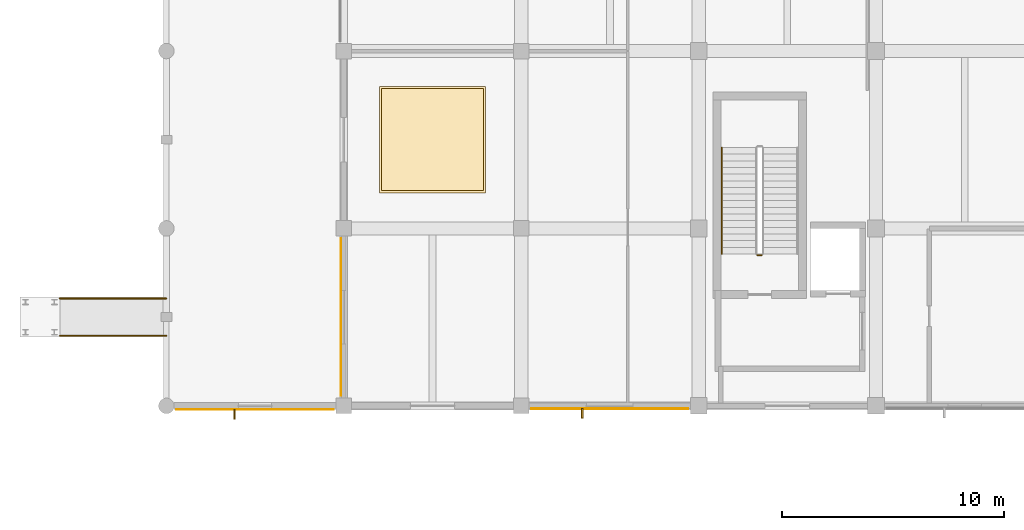
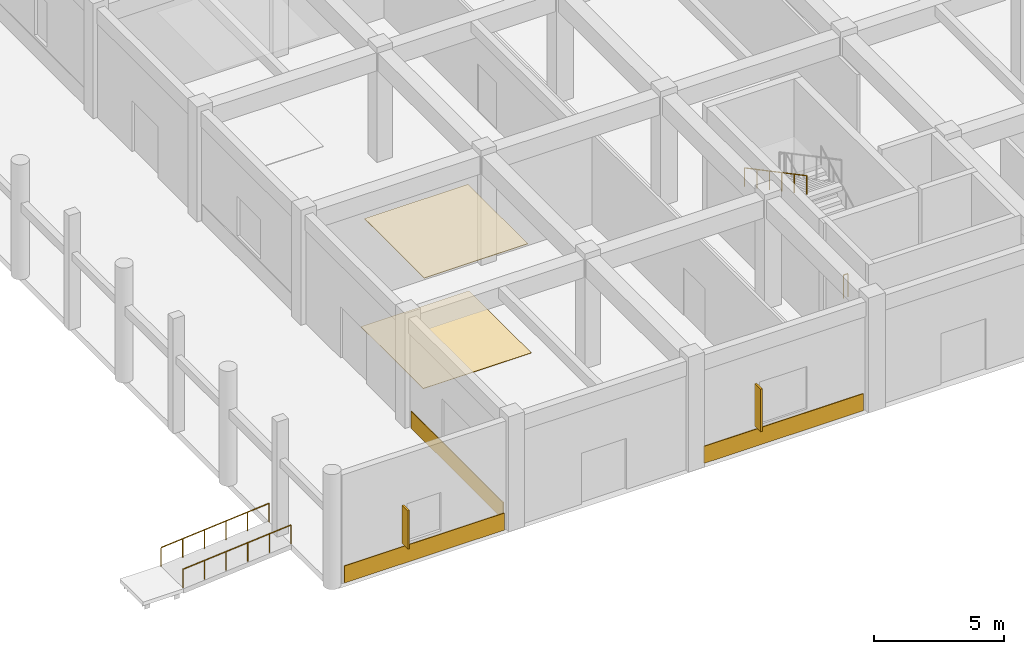
# One storey, part 66 of 86: 5 coverings, 4 railings, 2 shading devices.
"""IFC4 building model written with IfcOpenShell, lengths in metres."""

from ifc_helpers import new_model, si_unit, direction, frame, origin, origin_2d, place, context, subcontext, project, spatial, rectangle, circle, extrude, material, layer, layer_set, type_object, element, save


model = new_model("IFC4")

# Units and contexts
model_context = context("Model", 3, precision=1e-05, world=origin(), true_north=direction((0.0, 1.0)))
body_context = subcontext(model_context, "Body", "Model", "MODEL_VIEW")
ifc_project = project(units=[si_unit("LENGTHUNIT", "METRE"), si_unit("AREAUNIT", "SQUARE_METRE"), si_unit("VOLUMEUNIT", "CUBIC_METRE"), si_unit("PLANEANGLEUNIT", "RADIAN"), si_unit("MASSUNIT", "GRAM", prefix="KILO")], contexts=[model_context])

# Site, building, storey
site_placement = place(None, origin())
site = spatial("IfcSite", under=ifc_project, at=site_placement, CompositionType="ELEMENT")
building_placement = place(site_placement, origin())
building = spatial("IfcBuilding", under=site, at=building_placement, Name="Kenh Van Central Station", CompositionType="ELEMENT")
storey_placement = place(building_placement, origin())
storey = spatial("IfcBuildingStorey", under=building, at=storey_placement, Name="L00", CompositionType="ELEMENT", Elevation=0.0)

# Coverings
ifc_material_1 = material(Name="Perforated acoustic mineral ceiling board")
ifc_layer_1 = layer(ifc_material_1, 0.02490234375, Name="Perforated acoustic mineral ceiling board")
ifc_layer_set_1 = layer_set([ifc_layer_1], Name="Perforated acoustic mineral ceiling board")
covering_type_1 = type_object("IfcCoveringType", Name="COV-CEIL-ACOUST", PredefinedType="CEILING", material=ifc_layer_set_1)
covering_1_placement = place(storey_placement, frame((12.0, 20.0, 5.09716796875), z_axis=(0.0, 0.0, 1.0), x_axis=(1.0, 0.0, 0.0)))
element("IfcCovering", 1, at=covering_1_placement, inside=storey, type_object=covering_type_1, Name="L00 acoustic ceiling panel 019", PredefinedType="CEILING", context=body_context, shape_type="SweptSolid", body=[
    extrude(rectangle(XDim=4.60009765625, YDim=4.60009765625, at=origin_2d()), origin(), (0.0, 0.0, 1.0), 0.02490234375),
])
ifc_material_2 = material(Name="Saigon buff sandstone cladding", Category="masonry")
ifc_layer_2 = layer(ifc_material_2, 0.0400390625, Name="Saigon buff sandstone cladding")
ifc_layer_set_2 = layer_set([ifc_layer_2], Name="Saigon buff sandstone cladding")
covering_type_2 = type_object("IfcCoveringType", Name="COV-CLAD-BUFF", PredefinedType="CLADDING", material=ifc_layer_set_2)
covering_2_placement = place(storey_placement, frame((19.987548828125, 7.864990234375, 0.02001953125), z_axis=(0.0, 0.0, 1.0), x_axis=(1.0, 0.0, 0.0)))
element("IfcCovering", 2, at=covering_2_placement, inside=storey, type_object=covering_type_2, Name="L00 facade cladding 003", PredefinedType="CLADDING", context=body_context, shape_type="SweptSolid", body=[
    extrude(rectangle(XDim=7.074951171875, YDim=0.0400390625, at=origin_2d()), origin(), (0.0, 0.0, 1.0), 0.800048828125),
])
ifc_material_3 = material(Name="Glazed terracotta rainscreen cladding", Category="masonry")
ifc_layer_3 = layer(ifc_material_3, 0.034912109375, Name="Glazed terracotta rainscreen cladding")
ifc_layer_set_3 = layer_set([ifc_layer_3], Name="Glazed terracotta rainscreen cladding")
covering_type_3 = type_object("IfcCoveringType", Name="COV-CLAD-TERRA", PredefinedType="CLADDING", material=ifc_layer_set_3)
for number, where, z_axis, x_axis, name in (
    (3, (4.0, 7.83251953125, 0.02001953125), (0.0, 0.0, 1.0), (1.0, 0.0, 0.0), "L00 facade cladding 002"),
    (4, (7.87744140625, 12.0, 0.02001953125), (0.0, 0.0, 1.0), (0.0, -1.0, 0.0), "L00 facade cladding 008"),
):
    element("IfcCovering", number, at=place(storey_placement, frame(where, z_axis=z_axis, x_axis=x_axis)), inside=storey, type_object=covering_type_3, Name=name, PredefinedType="CLADDING", context=body_context, shape_type="SweptSolid", body=[
        extrude(rectangle(XDim=7.10009765625, YDim=0.034912109375, at=origin_2d()), origin(), (0.0, 0.0, 1.0), 0.800048828125),
    ])
ifc_material_4 = material(Name="Polished station granite terrazzo", Category="masonry")
ifc_layer_4 = layer(ifc_material_4, 0.02001953125, Name="Polished station granite terrazzo")
ifc_layer_set_4 = layer_set([ifc_layer_4], Name="Polished station granite terrazzo")
covering_type_4 = type_object("IfcCoveringType", Name="COV-FLR-GRANITE", PredefinedType="FLOORING", material=ifc_layer_set_4)
covering_3_placement = place(storey_placement, frame((12.0, 20.0, 0.0), z_axis=(0.0, 0.0, 1.0), x_axis=(1.0, 0.0, 0.0)))
element("IfcCovering", 5, at=covering_3_placement, inside=storey, type_object=covering_type_4, Name="L00 granite floor finish 027", PredefinedType="FLOORING", context=body_context, shape_type="SweptSolid", body=[
    extrude(rectangle(XDim=4.800048828125, YDim=4.800048828125, at=origin_2d()), origin(), (0.0, 0.0, 1.0), 0.02001953125),
])

# Railings
ifc_material_5 = material(Name="Champagne anodised aluminium", Category="aluminium")
railing_type_1 = type_object("IfcRailingType", Name="RAIL-CORE-GRD110", PredefinedType="GUARDRAIL", material=ifc_material_5)
railing_1_placement = place(storey_placement, frame((26.85009765625, 14.800048828125, 0.0)))
element("IfcRailing", 6, at=railing_1_placement, inside=storey, type_object=railing_type_1, Name="L00 ST-01 stair guard 4", PredefinedType="GUARDRAIL", context=body_context, shape_type="SweptSolid", body=[
    extrude(circle(Radius=0.02392578125, at=origin_2d()), frame((0.0, 0.0, 1.076171875), z_axis=(-1.0, 0.0, 0.0), x_axis=(0.0, -1.0, 0.0)), (0.0, 0.0, 1.0), 0.2001953125),
    extrude(circle(Radius=0.02099609375, at=origin_2d()), origin(), (0.0, 0.0, 1.0), 1.052001953125),
    extrude(circle(Radius=0.02099609375, at=origin_2d()), frame((-0.2001953125, 0.0, 0.0)), (0.0, 0.0, 1.0), 1.052001953125),
])
railing_type_2 = type_object("IfcRailingType", Name="RAIL-CORE-HND90", PredefinedType="HANDRAIL", material=ifc_material_5)
railing_2_placement = place(storey_placement, frame((25.050048828125, 19.64990234375, 2.85888671875)))
element("IfcRailing", 7, at=railing_2_placement, inside=storey, type_object=railing_type_2, Name="L00 ST-01 stair handrail 2", PredefinedType="HANDRAIL", context=body_context, shape_type="SweptSolid", body=[
    extrude(circle(Radius=0.02392578125, at=origin_2d()), frame((0.0, 0.0, 0.8759765625), z_axis=(0.0, -0.883792290195, 0.467879458614), x_axis=(1.0, 0.0, 0.0)), (0.0, 0.0, 1.0), 5.430908203125),
    extrude(circle(Radius=0.02099609375, at=origin_2d()), origin(), (0.0, 0.0, 1.0), 0.851806640625),
    extrude(circle(Radius=0.02099609375, at=origin_2d()), frame((0.0, -0.9599609375, 0.50830078125)), (0.0, 0.0, 1.0), 0.851806640625),
    extrude(circle(Radius=0.02099609375, at=origin_2d()), frame((0.0, -1.919921875, 1.016357421875)), (0.0, 0.0, 1.0), 0.851806640625),
    extrude(circle(Radius=0.02099609375, at=origin_2d()), frame((0.0, -2.8798828125, 1.524658203125)), (0.0, 0.0, 1.0), 0.851806640625),
    extrude(circle(Radius=0.02099609375, at=origin_2d()), frame((0.0, -3.83984375, 2.03271484375)), (0.0, 0.0, 1.0), 0.851806640625),
    extrude(circle(Radius=0.02099609375, at=origin_2d()), frame((0.0, -4.7998046875, 2.541015625)), (0.0, 0.0, 1.0), 0.851806640625),
])
for number, where, name in (
    (8, (-4.800048828125, 11.159912109375, -0.39990234375), "West Street Arcade South Accessible Ramp handrail 1"),
    (9, (-4.800048828125, 12.840087890625, -0.39990234375), "West Street Arcade South Accessible Ramp handrail 2"),
):
    element("IfcRailing", number, at=place(storey_placement, frame(where)), inside=storey, type_object=railing_type_2, Name=name, PredefinedType="HANDRAIL", context=body_context, shape_type="SweptSolid", body=[
        extrude(circle(Radius=0.02392578125, at=origin_2d()), frame((0.0, 0.0, 0.8759765625), z_axis=(0.996547505835, 0.0, 0.083024506106), x_axis=(0.0, 1.0, 0.0)), (0.0, 0.0, 1.0), 4.816650390625),
        extrude(circle(Radius=0.02099609375, at=origin_2d()), origin(), (0.0, 0.0, 1.0), 0.851806640625),
        extrude(circle(Radius=0.02099609375, at=origin_2d()), frame((0.9599609375, 0.0, 0.080078125)), (0.0, 0.0, 1.0), 0.851806640625),
        extrude(circle(Radius=0.02099609375, at=origin_2d()), frame((1.919921875, 0.0, 0.159912109375)), (0.0, 0.0, 1.0), 0.851806640625),
        extrude(circle(Radius=0.02099609375, at=origin_2d()), frame((2.880126953125, 0.0, 0.239990234375)), (0.0, 0.0, 1.0), 0.851806640625),
        extrude(circle(Radius=0.02099609375, at=origin_2d()), frame((3.840087890625, 0.0, 0.31982421875)), (0.0, 0.0, 1.0), 0.851806640625),
        extrude(circle(Radius=0.02099609375, at=origin_2d()), frame((4.800048828125, 0.0, 0.39990234375)), (0.0, 0.0, 1.0), 0.851806640625),
    ])

# Shading devices
ifc_material_6 = material(Name="Precast concrete C40/50", Category="concrete")
shading_device_type = type_object("IfcShadingDeviceType", Name="SHD-FIN-SHT", PredefinedType="SHUTTER", material=ifc_material_6)
shading_device_1_placement = place(storey_placement, frame((3.070068359375, 7.6298828125, 0.9501953125), z_axis=(0.0, 0.0, 1.0), x_axis=(0.0, -1.0, 0.0)))
element("IfcShadingDevice", 10, at=shading_device_1_placement, inside=storey, type_object=shading_device_type, Name="L00 vertical brise-soleil fin 001", PredefinedType="SHUTTER", context=body_context, shape_type="SweptSolid", body=[
    extrude(rectangle(XDim=0.449951171875, YDim=0.080078125, at=origin_2d()), origin(), (0.0, 0.0, 1.0), 1.800048828125),
])
shading_device_2_placement = place(storey_placement, frame((18.757568359375, 7.6650390625, 0.949951171875), z_axis=(0.0, 0.0, 1.0), x_axis=(0.0, -1.0, 0.0)))
element("IfcShadingDevice", 11, at=shading_device_2_placement, inside=storey, type_object=shading_device_type, Name="L00 vertical brise-soleil fin 002", PredefinedType="SHUTTER", context=body_context, shape_type="SweptSolid", body=[
    extrude(rectangle(XDim=0.449951171875, YDim=0.080078125, at=origin_2d()), origin(), (0.0, 0.0, 1.0), 2.0),
])

save(model, "model.ifc")
